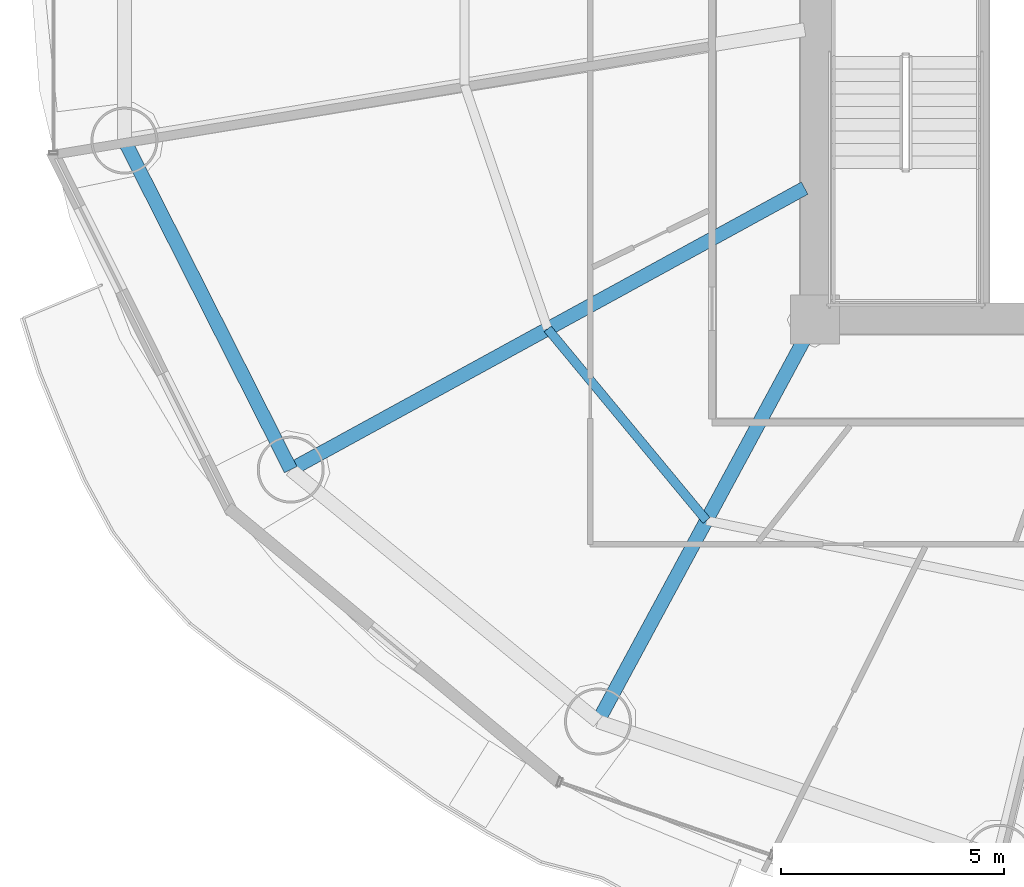
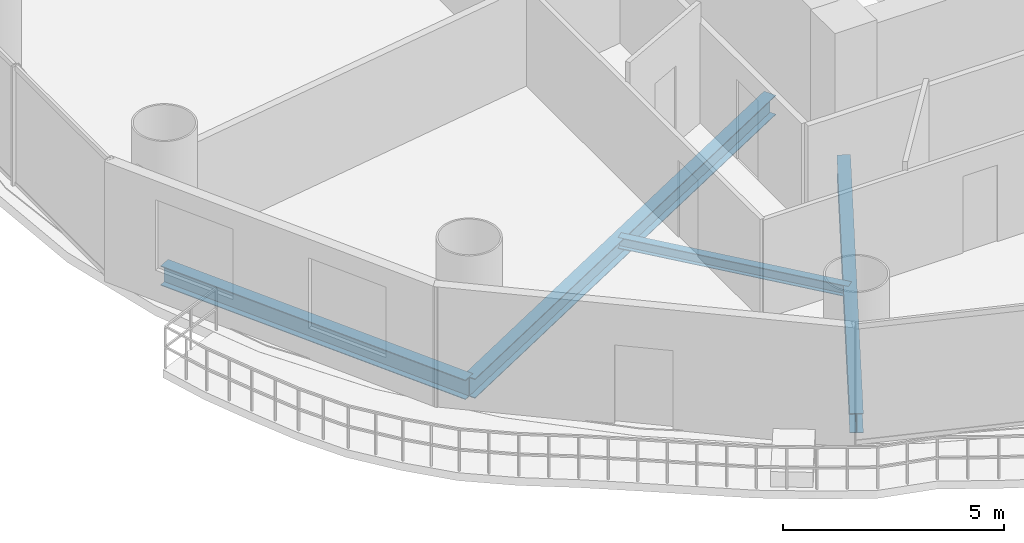
# One storey, part 3 of 29: 4 beams.
"""IFC4 building model written with IfcOpenShell, lengths in metres."""

from ifc_helpers import new_model, si_unit, direction, frame, origin, origin_2d, place, context, subcontext, project, spatial, i_section, extrude, material, material_profile, profile_set, type_object, element, save


model = new_model("IFC4")

# Units and contexts
model_context = context("Model", 3, precision=1e-05, world=origin(), true_north=direction((-0.2419218956, 0.970295726276)))
body_context = subcontext(model_context, "Body", "Model", "MODEL_VIEW")
ifc_project = project(units=[si_unit("LENGTHUNIT", "METRE"), si_unit("AREAUNIT", "SQUARE_METRE"), si_unit("VOLUMEUNIT", "CUBIC_METRE"), si_unit("PLANEANGLEUNIT", "RADIAN"), si_unit("MASSUNIT", "GRAM", prefix="KILO")], contexts=[model_context])

# Site, building, storey
site_placement = place(None, origin())
site = spatial("IfcSite", under=ifc_project, at=site_placement, CompositionType="ELEMENT")
building_placement = place(site_placement, origin())
building = spatial("IfcBuilding", under=site, at=building_placement, Name="Cobrevalo Terracotta Tower", CompositionType="ELEMENT")
storey_placement = place(building_placement, frame((0.0, 0.0, 79.800048828125)))
storey = spatial("IfcBuildingStorey", under=building, at=storey_placement, Name="L20", CompositionType="ELEMENT", Elevation=79.800048828125)

# Beams
ifc_material = material(Name="Steel S355", Category="steel")
ifc_material_profile_1 = material_profile(ifc_material, i_section(OverallWidth=0.31201171875, OverallDepth=0.54296875, WebThickness=0.0126953125, FlangeThickness=0.020263671875, at=origin_2d()), Name="W 530x150")
ifc_profile_set_1 = profile_set([ifc_material_profile_1], Name="Steel S355")
beam_type_1 = type_object("IfcBeamType", Name="Structural Beam W 530x150 (Steel S355)", PredefinedType="BEAM", material=ifc_profile_set_1)
beam_1_placement = place(storey_placement, frame((17.2548828125, 15.4384765625, -0.546630859375), z_axis=(0.877072765004, 0.480357538599, 0.0), x_axis=(-0.480357538599, 0.877072765004, 0.0)))
element("IfcBeam", 1, at=beam_1_placement, inside=storey, type_object=beam_type_1, Name="L20 radial floor girder 10", PredefinedType="BEAM", context=body_context, shape_type="SweptSolid", body=[
    extrude(i_section(OverallWidth=0.31201171875, OverallDepth=0.54296875, WebThickness=0.0126953125, FlangeThickness=0.020263671875, at=origin_2d()), origin(), (0.0, 0.0, 1.0), 13.129150390625),
])
beam_2_placement = place(storey_placement, frame((24.138427734375, 9.79638671875, -0.546630859375), z_axis=(0.475118249298, 0.879921956303, 0.0), x_axis=(-0.879921956303, 0.475118249298, 0.0)))
element("IfcBeam", 2, at=beam_2_placement, inside=storey, type_object=beam_type_1, Name="L20 radial floor girder 11", PredefinedType="BEAM", context=body_context, shape_type="SweptSolid", body=[
    extrude(i_section(OverallWidth=0.31201171875, OverallDepth=0.54296875, WebThickness=0.0126953125, FlangeThickness=0.020263671875, at=origin_2d()), origin(), (0.0, 0.0, 1.0), 10.232421875),
])
ifc_material_profile_2 = material_profile(ifc_material, i_section(OverallWidth=0.2041015625, OverallDepth=0.305908203125, WebThickness=0.008544921875, FlangeThickness=0.0146484375, at=origin_2d()), Name="W 310x67")
ifc_profile_set_2 = profile_set([ifc_material_profile_2], Name="Steel S355")
beam_type_2 = type_object("IfcBeamType", Name="Structural Joist W 310x67 (Steel S355)", PredefinedType="JOIST", material=ifc_profile_set_2)
beam_3_placement = place(storey_placement, frame((23.012451171875, 18.591796875, -0.427978515625), z_axis=(0.6379592588, -0.77007011636, 0.0), x_axis=(0.77007011636, 0.6379592588, 0.0)))
element("IfcBeam", 3, at=beam_3_placement, inside=storey, type_object=beam_type_2, Name="L20 circumferential secondary floor joist 10", PredefinedType="JOIST", context=body_context, shape_type="SweptSolid", body=[
    extrude(i_section(OverallWidth=0.2041015625, OverallDepth=0.305908203125, WebThickness=0.008544921875, FlangeThickness=0.0146484375, at=origin_2d()), origin(), (0.0, 0.0, 1.0), 5.575439453125),
])
ifc_material_profile_3 = material_profile(ifc_material, i_section(OverallWidth=0.31201171875, OverallDepth=0.54296875, WebThickness=0.0126953125, FlangeThickness=0.020263671875, at=origin_2d()), Name="W 530x150")
ifc_profile_set_3 = profile_set([ifc_material_profile_3], Name="Steel S355")
beam_type_3 = type_object("IfcBeamType", Name="Structural Spandrel W 530x150 (Steel S355)", PredefinedType="SPANDREL", material=ifc_profile_set_3)
beam_4_placement = place(storey_placement, frame((13.529296875, 22.810302734375, -0.546630859375), z_axis=(0.451051982172, -0.892497680321, 0.0), x_axis=(0.892497680321, 0.451051982172, 0.0)))
element("IfcBeam", 4, at=beam_4_placement, inside=storey, type_object=beam_type_3, Name="L20 perimeter ring spandrel 09", PredefinedType="SPANDREL", context=body_context, shape_type="SweptSolid", body=[
    extrude(i_section(OverallWidth=0.31201171875, OverallDepth=0.54296875, WebThickness=0.0126953125, FlangeThickness=0.020263671875, at=origin_2d()), origin(), (0.0, 0.0, 1.0), 8.259765625),
])

save(model, "model.ifc")
